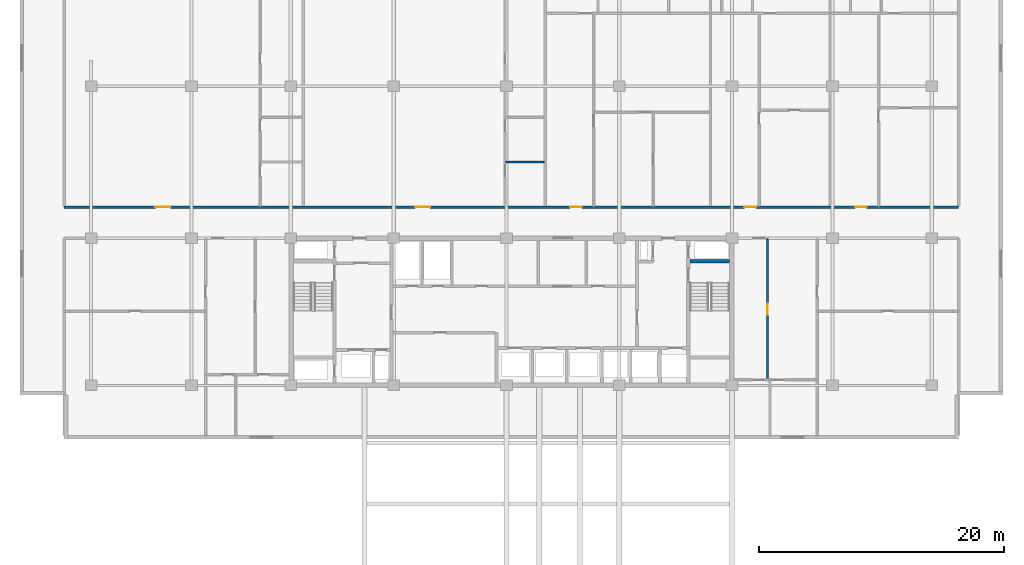
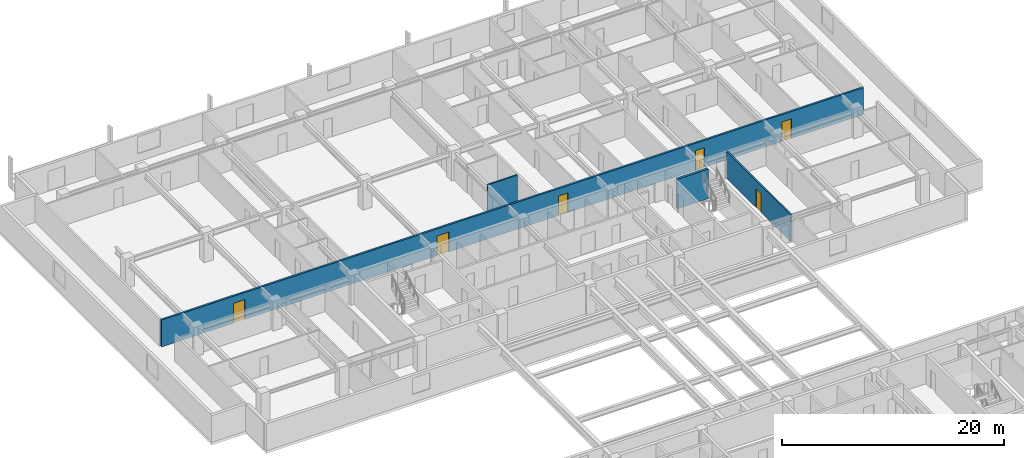
# One storey, part 12 of 21: 6 doors, 4 walls, 6 openings.
"""IFC4 building model written with IfcOpenShell, lengths in metres."""

from ifc_helpers import new_model, si_unit, direction, frame, frame_2d, origin, place, context, subcontext, project, spatial, rectangle, extrude, material, layer, layer_set, type_object, element, fill, save


model = new_model("IFC4")

# Units and contexts
model_context = context("Model", 3, precision=1e-05, world=origin(), true_north=direction((0.0, 1.0)))
body_context = subcontext(model_context, "Body", "Model", "MODEL_VIEW")
ifc_project = project(units=[si_unit("LENGTHUNIT", "METRE"), si_unit("AREAUNIT", "SQUARE_METRE"), si_unit("VOLUMEUNIT", "CUBIC_METRE"), si_unit("PLANEANGLEUNIT", "RADIAN"), si_unit("MASSUNIT", "GRAM", prefix="KILO")], contexts=[model_context])

# Site, building, storey
site_placement = place(None, origin())
site = spatial("IfcSite", under=ifc_project, at=site_placement, CompositionType="ELEMENT")
building_placement = place(site_placement, origin())
building = spatial("IfcBuilding", under=site, at=building_placement, Name="Korimba Cascade Residences", CompositionType="ELEMENT")
storey_placement = place(building_placement, frame((0.0, 0.0, 136.050048828125)))
storey = spatial("IfcBuildingStorey", under=building, at=storey_placement, Name="L39", CompositionType="ELEMENT", Elevation=136.050048828125)

# Wall, openings, doors
ifc_material_1 = material(Name="Precast concrete C40/50", Category="concrete")
ifc_layer_1 = layer(ifc_material_1, 0.199951171875)
ifc_layer_set_1 = layer_set([ifc_layer_1], Name="Precast concrete C40/50")
wall_type_1 = type_object("IfcWallType", Name="WAL-IT-200", PredefinedType="PARTITIONING", material=ifc_layer_set_1)
wall_1_placement = place(storey_placement, frame((57.60009765625, 69.75, 0.0), z_axis=(0.0, 0.0, 1.0), x_axis=(1.0, 0.0, 0.0)))
wall_1 = element("IfcWall", 1, at=wall_1_placement, inside=storey, type_object=wall_type_1, Name="L39 Partition Wall WAL-L39-T1-CORN", PredefinedType="PARTITIONING", context=body_context, shape_type="SweptSolid", body=[
    extrude(rectangle(XDim=73.0, YDim=0.199951171875, at=frame_2d((36.5, 0.0))), origin(), (0.0, 0.0, 1.0), 2.9599609375),
])
opening_1_placement = place(wall_1_placement, frame((7.449951171875, 0.0, 0.0)))
opening_1 = element("IfcOpeningElement", 2, at=opening_1_placement, cuts=wall_1, Name="Opening D-AM1", PredefinedType="OPENING", context=body_context, shape_type="SweptSolid", body=[
    extrude(rectangle(XDim=1.219970703125, YDim=2.179931640625, at=frame_2d((0.60986328125, 1.08984375))), frame((0.0, 0.10986328125, 0.0), z_axis=(0.0, -1.0, 0.0), x_axis=(1.0, 0.0, 0.0)), (0.0, 0.0, 1.0), 0.219970703125),
])
opening_2_placement = place(wall_1_placement, frame((28.654052734375, 0.0, 0.0)))
opening_2 = element("IfcOpeningElement", 3, at=opening_2_placement, cuts=wall_1, Name="Opening D-AM1", PredefinedType="OPENING", context=body_context, shape_type="SweptSolid", body=[
    extrude(rectangle(XDim=1.219970703125, YDim=2.179931640625, at=frame_2d((0.60986328125, 1.08984375))), frame((0.0, 0.10986328125, 0.0), z_axis=(0.0, -1.0, 0.0), x_axis=(1.0, 0.0, 0.0)), (0.0, 0.0, 1.0), 0.219970703125),
])
opening_3_placement = place(wall_1_placement, frame((41.294921875, 0.0, 0.0)))
opening_3 = element("IfcOpeningElement", 4, at=opening_3_placement, cuts=wall_1, Name="Opening D-UN1", PredefinedType="OPENING", context=body_context, shape_type="SweptSolid", body=[
    extrude(rectangle(XDim=0.949951171875, YDim=2.14990234375, at=frame_2d((0.47509765625, 1.074951171875))), frame((0.0, 0.10986328125, 0.0), z_axis=(0.0, -1.0, 0.0), x_axis=(1.0, 0.0, 0.0)), (0.0, 0.0, 1.0), 0.219970703125),
])
opening_4_placement = place(wall_1_placement, frame((55.52001953125, 0.0, 0.0)))
opening_4 = element("IfcOpeningElement", 5, at=opening_4_placement, cuts=wall_1, Name="Opening D-UN1", PredefinedType="OPENING", context=body_context, shape_type="SweptSolid", body=[
    extrude(rectangle(XDim=0.949951171875, YDim=2.14990234375, at=frame_2d((0.47509765625, 1.074951171875))), frame((0.0, 0.10986328125, 0.0), z_axis=(0.0, -1.0, 0.0), x_axis=(1.0, 0.0, 0.0)), (0.0, 0.0, 1.0), 0.219970703125),
])
opening_5_placement = place(wall_1_placement, frame((64.544921875, 0.0, 0.0)))
opening_5 = element("IfcOpeningElement", 6, at=opening_5_placement, cuts=wall_1, Name="Opening D-UN1", PredefinedType="OPENING", context=body_context, shape_type="SweptSolid", body=[
    extrude(rectangle(XDim=0.949951171875, YDim=2.14990234375, at=frame_2d((0.47509765625, 1.074951171875))), frame((0.0, 0.10986328125, 0.0), z_axis=(0.0, -1.0, 0.0), x_axis=(1.0, 0.0, 0.0)), (0.0, 0.0, 1.0), 0.219970703125),
])
ifc_material_2 = material(Name="Fire-Rated Glazed Timber Suite Door", Category="wood")
door_type_1 = type_object("IfcDoorType", Name="DR-FD60-1200", OperationType="NOTDEFINED", PredefinedType="DOOR", material=ifc_material_2)
door_1_placement = place(opening_1_placement, origin())
door_1 = element("IfcDoor", 7, at=door_1_placement, inside=storey, type_object=door_type_1, Name="L39-T1-U01 Business Collaboration Office Door", OperationType="SINGLE_SWING_LEFT", OverallHeight=2.179931640625, OverallWidth=1.219970703125, PredefinedType="DOOR", context=body_context, shape_type="SweptSolid", body=[
    extrude(rectangle(XDim=1.219970703125, YDim=2.179931640625, at=frame_2d((0.60986328125, 1.08984375))), frame((0.0, 0.02490234375, 0.0), z_axis=(0.0, -1.0, 0.0), x_axis=(1.0, 0.0, 0.0)), (0.0, 0.0, 1.0), 0.050048828125),
])
fill(opening_1, door_1)
door_2_placement = place(opening_2_placement, origin())
door_2 = element("IfcDoor", 8, at=door_2_placement, inside=storey, type_object=door_type_1, Name="L39-T1-U02 Architecture Reading Library Door", OperationType="SINGLE_SWING_RIGHT", OverallHeight=2.179931640625, OverallWidth=1.219970703125, PredefinedType="DOOR", context=body_context, shape_type="SweptSolid", body=[
    extrude(rectangle(XDim=1.219970703125, YDim=2.179931640625, at=frame_2d((0.60986328125, 1.08984375))), frame((0.0, 0.02490234375, 0.0), z_axis=(0.0, -1.0, 0.0), x_axis=(1.0, 0.0, 0.0)), (0.0, 0.0, 1.0), 0.050048828125),
])
fill(opening_2, door_2)
ifc_material_3 = material(Name="Fire-Rated Hardwood Apartment Entrance Door", Category="wood")
door_type_2 = type_object("IfcDoorType", Name="DR-FD60-950", OperationType="NOTDEFINED", PredefinedType="DOOR", material=ifc_material_3)
door_3_placement = place(opening_3_placement, origin())
door_3 = element("IfcDoor", 9, at=door_3_placement, inside=storey, type_object=door_type_2, Name="Unit L39-T1-U03 Entrance Door", OperationType="SINGLE_SWING_LEFT", OverallHeight=2.14990234375, OverallWidth=0.949951171875, PredefinedType="DOOR", context=body_context, shape_type="SweptSolid", body=[
    extrude(rectangle(XDim=0.949951171875, YDim=2.14990234375, at=frame_2d((0.47509765625, 1.074951171875))), frame((0.0, 0.02490234375, 0.0), z_axis=(0.0, -1.0, 0.0), x_axis=(1.0, 0.0, 0.0)), (0.0, 0.0, 1.0), 0.050048828125),
])
fill(opening_3, door_3)
door_4_placement = place(opening_4_placement, origin())
door_4 = element("IfcDoor", 10, at=door_4_placement, inside=storey, type_object=door_type_2, Name="Unit L39-T1-U04 Entrance Door", OperationType="SINGLE_SWING_RIGHT", OverallHeight=2.14990234375, OverallWidth=0.949951171875, PredefinedType="DOOR", context=body_context, shape_type="SweptSolid", body=[
    extrude(rectangle(XDim=0.949951171875, YDim=2.14990234375, at=frame_2d((0.47509765625, 1.074951171875))), frame((0.0, 0.02490234375, 0.0), z_axis=(0.0, -1.0, 0.0), x_axis=(1.0, 0.0, 0.0)), (0.0, 0.0, 1.0), 0.050048828125),
])
fill(opening_4, door_4)
door_5_placement = place(opening_5_placement, origin())
door_5 = element("IfcDoor", 11, at=door_5_placement, inside=storey, type_object=door_type_2, Name="Unit L39-T1-U05 Entrance Door", OperationType="SINGLE_SWING_LEFT", OverallHeight=2.14990234375, OverallWidth=0.949951171875, PredefinedType="DOOR", context=body_context, shape_type="SweptSolid", body=[
    extrude(rectangle(XDim=0.949951171875, YDim=2.14990234375, at=frame_2d((0.47509765625, 1.074951171875))), frame((0.0, 0.02490234375, 0.0), z_axis=(0.0, -1.0, 0.0), x_axis=(1.0, 0.0, 0.0)), (0.0, 0.0, 1.0), 0.050048828125),
])
fill(opening_5, door_5)

# Wall, opening, door
ifc_material_4 = material(Name="Insulated Acoustic Stud Partition", Category="gypsum")
ifc_layer_2 = layer(ifc_material_4, 0.14990234375)
ifc_layer_set_2 = layer_set([ifc_layer_2], Name="Insulated Acoustic Stud Partition")
wall_type_2 = type_object("IfcWallType", Name="WAL-PART-150", PredefinedType="PARTITIONING", material=ifc_layer_set_2)
wall_2_placement = place(storey_placement, frame((115.0, 55.64990234375, 0.0), z_axis=(0.0, 0.0, 1.0), x_axis=(0.0, 1.0, 0.0)))
wall_2 = element("IfcWall", 12, at=wall_2_placement, inside=storey, type_object=wall_type_2, Name="L39 Partition Wall WAL-L39-T1-FE-VN", PredefinedType="PARTITIONING", context=body_context, shape_type="SweptSolid", body=[
    extrude(rectangle(XDim=11.5, YDim=0.14990234375, at=frame_2d((5.75, 0.0))), origin(), (0.0, 0.0, 1.0), 2.9599609375),
])
opening_6_placement = place(wall_2_placement, frame((5.2900390625, 0.0, 0.0)))
opening_6 = element("IfcOpeningElement", 13, at=opening_6_placement, cuts=wall_2, Name="Opening D-IN1", PredefinedType="OPENING", context=body_context, shape_type="SweptSolid", body=[
    extrude(rectangle(XDim=0.919921875, YDim=2.080078125, at=frame_2d((0.4599609375, 1.0400390625))), frame((0.0, 0.0849609375, 0.0), z_axis=(0.0, -1.0, 0.0), x_axis=(1.0, 0.0, 0.0)), (0.0, 0.0, 1.0), 0.169921875),
])
ifc_material_5 = material(Name="Acoustic Timber Living Door", Category="wood")
door_type_3 = type_object("IfcDoorType", Name="DR-INT-920", OperationType="NOTDEFINED", PredefinedType="DOOR", material=ifc_material_5)
door_6_placement = place(opening_6_placement, origin())
door_6 = element("IfcDoor", 14, at=door_6_placement, inside=storey, type_object=door_type_3, Name="L39-T1-FE Living Door", OperationType="SINGLE_SWING_RIGHT", OverallHeight=2.080078125, OverallWidth=0.919921875, PredefinedType="DOOR", context=body_context, shape_type="SweptSolid", body=[
    extrude(rectangle(XDim=0.919921875, YDim=2.080078125, at=frame_2d((0.4599609375, 1.0400390625))), frame((0.0, 0.02490234375, 0.0), z_axis=(0.0, -1.0, 0.0), x_axis=(1.0, 0.0, 0.0)), (0.0, 0.0, 1.0), 0.050048828125),
])
fill(opening_6, door_6)

# Walls
wall_3_placement = place(storey_placement, frame((93.639892578125, 73.419921875, 0.0), z_axis=(0.0, 0.0, 1.0), x_axis=(1.0, 0.0, 0.0)))
element("IfcWall", 15, at=wall_3_placement, inside=storey, type_object=wall_type_2, Name="L39 Partition Wall WAL-L39-T1-U02-WCH", PredefinedType="PARTITIONING", context=body_context, shape_type="SweptSolid", body=[
    extrude(rectangle(XDim=3.130126953125, YDim=0.14990234375, at=frame_2d((1.56494140625, 0.0))), origin(), (0.0, 0.0, 1.0), 2.9599609375),
])
ifc_material_6 = material(Name="Concrete C50/60", Category="concrete")
ifc_layer_3 = layer(ifc_material_6, 0.25)
ifc_layer_set_3 = layer_set([ifc_layer_3], Name="Concrete C50/60")
wall_type_3 = type_object("IfcWallType", Name="WAL-SHAFT-250", PredefinedType="SHEAR", material=ifc_layer_set_3)
wall_4_placement = place(storey_placement, frame((108.659912109375, 65.324951171875, 0.0), z_axis=(0.0, 0.0, 1.0), x_axis=(1.0, 0.0, 0.0)))
element("IfcWall", 16, at=wall_4_placement, inside=storey, type_object=wall_type_3, Name="L39 Core Shear Wall CW-L39-T1-STW2N", PredefinedType="SHEAR", context=body_context, shape_type="SweptSolid", body=[
    extrude(rectangle(XDim=3.239990234375, YDim=0.25, at=frame_2d((1.6201171875, 0.0))), origin(), (0.0, 0.0, 1.0), 3.25),
])

save(model, "model.ifc")
